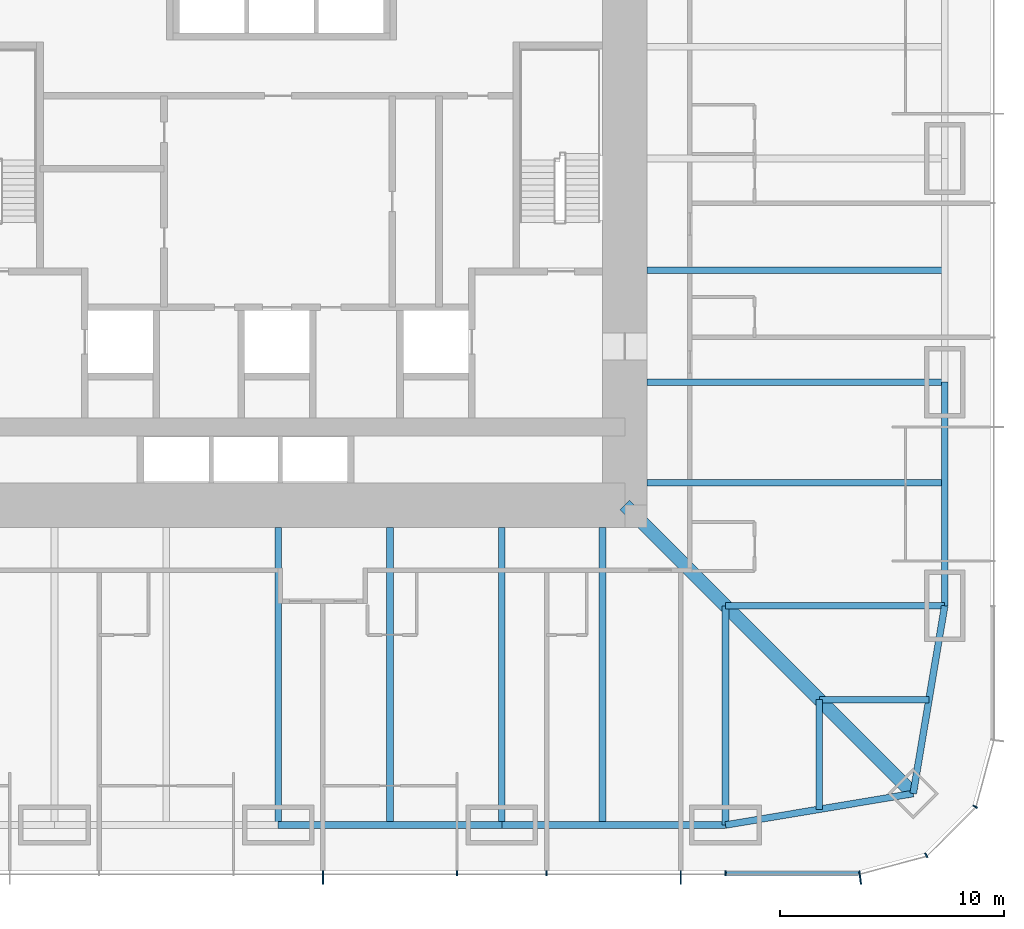
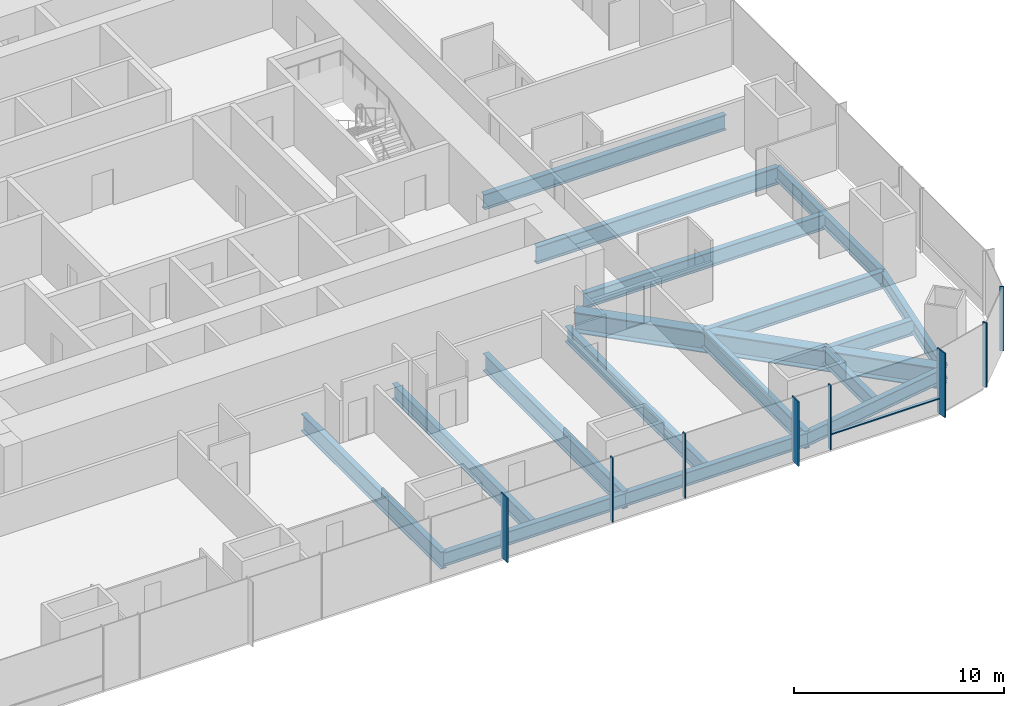
# One storey, part 4 of 20: 17 beams, 9 members, 2 elements without a shape of their own.
"""IFC4 building model written with IfcOpenShell, lengths in metres."""

from ifc_helpers import new_model, si_unit, direction, frame, origin, origin_2d, place, context, subcontext, project, spatial, rectangle, i_section, extrude, material, material_profile, profile_set, type_object, element, aggregate, save


model = new_model("IFC4")

# Units and contexts
model_context = context("Model", 3, precision=1e-05, world=origin(), true_north=direction((0.0, 1.0)))
body_context = subcontext(model_context, "Body", "Model", "MODEL_VIEW")
ifc_project = project(units=[si_unit("LENGTHUNIT", "METRE"), si_unit("AREAUNIT", "SQUARE_METRE"), si_unit("VOLUMEUNIT", "CUBIC_METRE"), si_unit("PLANEANGLEUNIT", "RADIAN"), si_unit("MASSUNIT", "GRAM", prefix="KILO")], contexts=[model_context])

# Site, building, storey
site_placement = place(None, origin())
site = spatial("IfcSite", under=ifc_project, at=site_placement, CompositionType="ELEMENT")
building_placement = place(site_placement, origin())
building = spatial("IfcBuilding", under=site, at=building_placement, Name="Khuree Lantern Residences", CompositionType="ELEMENT")
storey_placement = place(building_placement, frame((0.0, 0.0, 28.5)))
storey = spatial("IfcBuildingStorey", under=building, at=storey_placement, Name="L06", CompositionType="ELEMENT", Elevation=28.5)

# Beams
ifc_material_1 = material(Name="Steel S355", Category="steel")
ifc_material_profile_1 = material_profile(ifc_material_1, i_section(OverallWidth=0.300048828125, OverallDepth=0.889892578125, WebThickness=0.01611328125, FlangeThickness=0.030029296875, FilletRadius=0.030029296875, at=origin_2d()), Name="HE 900 A")
ifc_profile_set_1 = profile_set([ifc_material_profile_1], Name="Steel S355")
beam_type_1 = type_object("IfcBeamType", Name="B-11 SECONDARY BEAM HE 900 A", PredefinedType="BEAM", material=ifc_profile_set_1)
for number, where, z_axis, x_axis, name in (
    (1, (29.800048828125, -5.0, -0.695068359375), (-1.0, 0.0, 0.0), (0.0, -1.0, 0.0), "Secondary beam E4"),
    (2, (29.800048828125, -14.5, -0.695068359375), (-1.0, 0.0, 0.0), (0.0, -1.0, 0.0), "Secondary beam E5"),
):
    element("IfcBeam", number, at=place(storey_placement, frame(where, z_axis=z_axis, x_axis=x_axis)), inside=storey, type_object=beam_type_1, Name=name, PredefinedType="BEAM", context=body_context, shape_type="SweptSolid", body=[
        extrude(i_section(OverallWidth=0.300048828125, OverallDepth=0.889892578125, WebThickness=0.01611328125, FlangeThickness=0.030029296875, FilletRadius=0.030029296875, at=origin_2d()), origin(), (0.0, 0.0, 1.0), 13.300048828125),
    ])
for number, where, z_axis, x_axis, name in (
    (3, (29.09716796875, -24.197021484375, -0.695068359375), (-1.0, 0.0, 0.0), (0.0, -1.0, 0.0), "Secondary beam E6"),
    (4, (24.197021484375, -29.09716796875, -0.695068359375), (0.0, 1.0, 0.0), (-1.0, 0.0, 0.0), "Secondary beam S1"),
):
    element("IfcBeam", number, at=place(storey_placement, frame(where, z_axis=z_axis, x_axis=x_axis)), inside=storey, type_object=beam_type_1, Name=name, PredefinedType="BEAM", context=body_context, shape_type="SweptSolid", body=[
        extrude(i_section(OverallWidth=0.300048828125, OverallDepth=0.889892578125, WebThickness=0.01611328125, FlangeThickness=0.030029296875, FilletRadius=0.030029296875, at=origin_2d()), origin(), (0.0, 0.0, 1.0), 4.900146484375),
    ])
for number, where, z_axis, x_axis, name in (
    (5, (14.5, -29.800048828125, -0.695068359375), (0.0, 1.0, 0.0), (-1.0, 0.0, 0.0), "Secondary beam S2"),
    (6, (5.0, -29.800048828125, -0.695068359375), (0.0, 1.0, 0.0), (-1.0, 0.0, 0.0), "Secondary beam S3"),
):
    element("IfcBeam", number, at=place(storey_placement, frame(where, z_axis=z_axis, x_axis=x_axis)), inside=storey, type_object=beam_type_1, Name=name, PredefinedType="BEAM", context=body_context, shape_type="SweptSolid", body=[
        extrude(i_section(OverallWidth=0.300048828125, OverallDepth=0.889892578125, WebThickness=0.01611328125, FlangeThickness=0.030029296875, FilletRadius=0.030029296875, at=origin_2d()), origin(), (0.0, 0.0, 1.0), 13.300048828125),
    ])
ifc_material_profile_2 = material_profile(ifc_material_1, i_section(OverallWidth=0.300048828125, OverallDepth=0.7900390625, WebThickness=0.014892578125, FlangeThickness=0.028076171875, FilletRadius=0.030029296875, at=origin_2d()), Name="HE 800 A")
ifc_profile_set_2 = profile_set([ifc_material_profile_2], Name="Steel S355")
beam_type_2 = type_object("IfcBeamType", Name="E-11 SPANDREL BEAM HE 800 A", PredefinedType="SPANDREL", material=ifc_profile_set_2)
beam_1_placement = place(storey_placement, frame((29.800048828125, -10.0, -0.64501953125), z_axis=(0.0, -1.0, 0.0), x_axis=(1.0, 0.0, 0.0)))
element("IfcBeam", 7, at=beam_1_placement, inside=storey, type_object=beam_type_2, Name="Spandrel beam E5", PredefinedType="SPANDREL", context=body_context, shape_type="SweptSolid", body=[
    extrude(i_section(OverallWidth=0.300048828125, OverallDepth=0.7900390625, WebThickness=0.014892578125, FlangeThickness=0.028076171875, FilletRadius=0.030029296875, at=origin_2d()), origin(), (0.0, 0.0, 1.0), 10.0),
])
for number, where, z_axis, x_axis, name in (
    (8, (29.800048828125, -20.0, -0.64501953125), (-0.165199022349, -0.986260251158, 0.0), (0.986260251158, -0.165199022349, 0.0), "Spandrel beam E6"),
    (9, (28.39404296875, -28.39404296875, -0.64501953125), (-0.986260251158, -0.165199022349, 0.0), (0.165199022349, -0.986260251158, 0.0), "Spandrel beam S1"),
):
    element("IfcBeam", number, at=place(storey_placement, frame(where, z_axis=z_axis, x_axis=x_axis)), inside=storey, type_object=beam_type_2, Name=name, PredefinedType="SPANDREL", context=body_context, shape_type="SweptSolid", body=[
        extrude(i_section(OverallWidth=0.300048828125, OverallDepth=0.7900390625, WebThickness=0.014892578125, FlangeThickness=0.028076171875, FilletRadius=0.030029296875, at=origin_2d()), origin(), (0.0, 0.0, 1.0), 8.510986328125),
    ])
for number, where, z_axis, x_axis, name in (
    (10, (20.0, -29.800048828125, -0.64501953125), (-1.0, 0.0, 0.0), (0.0, -1.0, 0.0), "Spandrel beam S2"),
    (11, (10.0, -29.800048828125, -0.64501953125), (-1.0, 0.0, 0.0), (0.0, -1.0, 0.0), "Spandrel beam S3"),
):
    element("IfcBeam", number, at=place(storey_placement, frame(where, z_axis=z_axis, x_axis=x_axis)), inside=storey, type_object=beam_type_2, Name=name, PredefinedType="SPANDREL", context=body_context, shape_type="SweptSolid", body=[
        extrude(i_section(OverallWidth=0.300048828125, OverallDepth=0.7900390625, WebThickness=0.014892578125, FlangeThickness=0.028076171875, FilletRadius=0.030029296875, at=origin_2d()), origin(), (0.0, 0.0, 1.0), 10.0),
    ])

# Curtain wall, member
ifc_material_2 = material(Name="Bronze anodised aluminium", Category="aluminium")
curtain_wall_type_1 = type_object("IfcCurtainWallType", Name="CW-T2 TOWER CORNER CURTAIN WALL", PredefinedType="USERDEFINED", material=ifc_material_2)
curtain_wall_1_placement = place(storey_placement, origin())
curtain_wall_1 = element("IfcCurtainWall", 12, at=curtain_wall_1_placement, inside=storey, type_object=curtain_wall_type_1, Name="L06 SOUTH-EAST CORNER CURTAIN WALL", ObjectType="Faceted corner curtain wall", PredefinedType="USERDEFINED")
ifc_material_profile_3 = material_profile(ifc_material_2, rectangle(XDim=0.06494140625, YDim=0.60009765625, at=origin_2d()), Name="F1 65X600")
ifc_profile_set_3 = profile_set([ifc_material_profile_3], Name="Bronze anodised aluminium")
member_type_1 = type_object("IfcMemberType", Name="F1 BRONZE FIN MULLION TOWER 65X600", PredefinedType="MULLION", material=ifc_profile_set_3)
member_1_placement = place(storey_placement, frame((26.019775390625, -32.150146484375, 0.0), z_axis=(0.0, 0.0, 1.0), x_axis=(0.991444852794, 0.130526257387, 0.0)))
member_1 = element("IfcMember", 13, at=member_1_placement, type_object=member_type_1, Name="L06 SOUTH-EAST CORNER FIN MULLION 1", PredefinedType="MULLION", context=body_context, shape_type="SweptSolid", body=[
    extrude(rectangle(XDim=0.06494140625, YDim=0.60009765625, at=origin_2d()), origin(), (0.0, 0.0, 1.0), 3.75),
])

# Curtain wall, members
curtain_wall_type_2 = type_object("IfcCurtainWallType", Name="CW-T1 TOWER FACE CURTAIN WALL", PredefinedType="USERDEFINED", material=ifc_material_2)
curtain_wall_2_placement = place(storey_placement, origin())
curtain_wall_2 = element("IfcCurtainWall", 14, at=curtain_wall_2_placement, inside=storey, type_object=curtain_wall_type_2, Name="L06 SOUTH FACE CURTAIN WALL", ObjectType="Stick-built curtain wall", PredefinedType="USERDEFINED")
member_2_placement = place(storey_placement, frame((2.0, -32.14990234375, 0.0), z_axis=(0.0, 0.0, 1.0), x_axis=(1.0, 0.0, 0.0)))
member_2 = element("IfcMember", 15, at=member_2_placement, type_object=member_type_1, Name="L06 SOUTH FACE FIN MULLION 52", PredefinedType="MULLION", context=body_context, shape_type="SweptSolid", body=[
    extrude(rectangle(XDim=0.06494140625, YDim=0.60009765625, at=origin_2d()), origin(), (0.0, 0.0, 1.0), 3.75),
])
member_3_placement = place(storey_placement, frame((18.0, -32.14990234375, 0.0), z_axis=(0.0, 0.0, 1.0), x_axis=(1.0, 0.0, 0.0)))
member_3 = element("IfcMember", 16, at=member_3_placement, type_object=member_type_1, Name="L06 SOUTH FACE FIN MULLION 55", PredefinedType="MULLION", context=body_context, shape_type="SweptSolid", body=[
    extrude(rectangle(XDim=0.06494140625, YDim=0.60009765625, at=origin_2d()), origin(), (0.0, 0.0, 1.0), 3.75),
])

# Beams
ifc_material_profile_4 = material_profile(ifc_material_1, i_section(OverallWidth=0.302001953125, OverallDepth=1.008056640625, WebThickness=0.02099609375, FlangeThickness=0.0400390625, FilletRadius=0.030029296875, at=origin_2d()), Name="HE 1000 M")
ifc_profile_set_4 = profile_set([ifc_material_profile_4], Name="Steel S355")
beam_type_3 = type_object("IfcBeamType", Name="G-11 GIRDER HE 1000 M", PredefinedType="BEAM", material=ifc_profile_set_4)
beam_2_placement = place(storey_placement, frame((29.800048828125, -10.0, -0.75390625), z_axis=(-1.0, 0.0, 0.0), x_axis=(0.0, -1.0, 0.0)))
element("IfcBeam", 17, at=beam_2_placement, inside=storey, type_object=beam_type_3, Name="Girder E4", PredefinedType="BEAM", context=body_context, shape_type="SweptSolid", body=[
    extrude(i_section(OverallWidth=0.302001953125, OverallDepth=1.008056640625, WebThickness=0.02099609375, FlangeThickness=0.0400390625, FilletRadius=0.030029296875, at=origin_2d()), origin(), (0.0, 0.0, 1.0), 13.300048828125),
])
for number, where, z_axis, x_axis, name in (
    (18, (29.800048828125, -20.0, -0.75390625), (-1.0, 0.0, 0.0), (0.0, -1.0, 0.0), "Girder E5"),
    (19, (20.0, -29.800048828125, -0.75390625), (0.0, 1.0, 0.0), (-1.0, 0.0, 0.0), "Girder S1"),
):
    element("IfcBeam", number, at=place(storey_placement, frame(where, z_axis=z_axis, x_axis=x_axis)), inside=storey, type_object=beam_type_3, Name=name, PredefinedType="BEAM", context=body_context, shape_type="SweptSolid", body=[
        extrude(i_section(OverallWidth=0.302001953125, OverallDepth=1.008056640625, WebThickness=0.02099609375, FlangeThickness=0.0400390625, FilletRadius=0.030029296875, at=origin_2d()), origin(), (0.0, 0.0, 1.0), 9.800048828125),
    ])
for number, where, z_axis, x_axis, name in (
    (20, (10.0, -29.800048828125, -0.75390625), (0.0, 1.0, 0.0), (-1.0, 0.0, 0.0), "Girder S2"),
    (21, (0.0, -29.800048828125, -0.75390625), (0.0, 1.0, 0.0), (-1.0, 0.0, 0.0), "Girder S3"),
):
    element("IfcBeam", number, at=place(storey_placement, frame(where, z_axis=z_axis, x_axis=x_axis)), inside=storey, type_object=beam_type_3, Name=name, PredefinedType="BEAM", context=body_context, shape_type="SweptSolid", body=[
        extrude(i_section(OverallWidth=0.302001953125, OverallDepth=1.008056640625, WebThickness=0.02099609375, FlangeThickness=0.0400390625, FilletRadius=0.030029296875, at=origin_2d()), origin(), (0.0, 0.0, 1.0), 13.300048828125),
    ])
ifc_material_profile_5 = material_profile(ifc_material_1, i_section(OverallWidth=0.60009765625, OverallDepth=1.199951171875, WebThickness=0.030029296875, FlangeThickness=0.06005859375, at=origin_2d()), Name="WELDED I 1200X600X30X60")
ifc_profile_set_5 = profile_set([ifc_material_profile_5], Name="Steel S355")
beam_type_4 = type_object("IfcBeamType", Name="GD-11 CORNER GIRDER WELDED I 1200X600X30X60", PredefinedType="BEAM", material=ifc_profile_set_5)
beam_3_placement = place(storey_placement, frame((28.39404296875, -28.39404296875, -0.85009765625), z_axis=(-0.707106781187, 0.707106781187, 0.0), x_axis=(-0.707106781187, -0.707106781187, 0.0)))
element("IfcBeam", 22, at=beam_3_placement, inside=storey, type_object=beam_type_4, Name="Corner girder SE", PredefinedType="BEAM", context=body_context, shape_type="SweptSolid", body=[
    extrude(i_section(OverallWidth=0.60009765625, OverallDepth=1.199951171875, WebThickness=0.030029296875, FlangeThickness=0.06005859375, at=origin_2d()), origin(), (0.0, 0.0, 1.0), 18.23486328125),
])

# Member
ifc_material_profile_6 = material_profile(ifc_material_2, rectangle(XDim=0.06494140625, YDim=0.219970703125, at=origin_2d()), Name="M1 65X220")
ifc_profile_set_6 = profile_set([ifc_material_profile_6], Name="Bronze anodised aluminium")
member_type_2 = type_object("IfcMemberType", Name="M1 BRONZE MULLION TOWER 65X220", PredefinedType="MULLION", material=ifc_profile_set_6)
member_4_placement = place(storey_placement, frame((28.97998046875, -31.16162109375, 0.0), z_axis=(0.0, 0.0, 1.0), x_axis=(0.86602537092, 0.500000056923, 0.0)))
member_4 = element("IfcMember", 23, at=member_4_placement, type_object=member_type_2, Name="L06 SOUTH-EAST CORNER MULLION 2", PredefinedType="MULLION", context=body_context, shape_type="SweptSolid", body=[
    extrude(rectangle(XDim=0.06494140625, YDim=0.219970703125, at=origin_2d()), origin(), (0.0, 0.0, 1.0), 3.75),
])

member_5_placement = place(storey_placement, frame((31.16162109375, -28.97998046875, 0.0), z_axis=(0.0, 0.0, 1.0), x_axis=(0.500000056923, 0.86602537092, 0.0)))
member_5 = element("IfcMember", 24, at=member_5_placement, type_object=member_type_2, Name="L06 SOUTH-EAST CORNER MULLION 3", PredefinedType="MULLION", context=body_context, shape_type="SweptSolid", body=[
    extrude(rectangle(XDim=0.06494140625, YDim=0.219970703125, at=origin_2d()), origin(), (0.0, 0.0, 1.0), 3.75),
])

aggregate(curtain_wall_1, [member_1, member_4, member_5])

member_6_placement = place(storey_placement, frame((8.0, -31.9599609375, 0.0), z_axis=(0.0, 0.0, 1.0), x_axis=(1.0, 0.0, 0.0)))
member_6 = element("IfcMember", 25, at=member_6_placement, type_object=member_type_2, Name="L06 SOUTH FACE MULLION 53", PredefinedType="MULLION", context=body_context, shape_type="SweptSolid", body=[
    extrude(rectangle(XDim=0.06494140625, YDim=0.219970703125, at=origin_2d()), origin(), (0.0, 0.0, 1.0), 3.75),
])

member_7_placement = place(storey_placement, frame((12.0, -31.9599609375, 0.0), z_axis=(0.0, 0.0, 1.0), x_axis=(1.0, 0.0, 0.0)))
member_7 = element("IfcMember", 26, at=member_7_placement, type_object=member_type_2, Name="L06 SOUTH FACE MULLION 54", PredefinedType="MULLION", context=body_context, shape_type="SweptSolid", body=[
    extrude(rectangle(XDim=0.06494140625, YDim=0.219970703125, at=origin_2d()), origin(), (0.0, 0.0, 1.0), 3.75),
])

member_8_placement = place(storey_placement, frame((20.0, -31.9599609375, 0.0), z_axis=(0.0, 0.0, 1.0), x_axis=(1.0, 0.0, 0.0)))
member_8 = element("IfcMember", 27, at=member_8_placement, type_object=member_type_2, Name="L06 SOUTH FACE MULLION 56", PredefinedType="MULLION", context=body_context, shape_type="SweptSolid", body=[
    extrude(rectangle(XDim=0.06494140625, YDim=0.219970703125, at=origin_2d()), origin(), (0.0, 0.0, 1.0), 3.75),
])

ifc_material_profile_7 = material_profile(ifc_material_2, rectangle(XDim=0.179931640625, YDim=0.06494140625, at=origin_2d()), Name="T1 180X65")
ifc_profile_set_7 = profile_set([ifc_material_profile_7], Name="Bronze anodised aluminium")
member_type_3 = type_object("IfcMemberType", Name="TRANSOM T1 TOWER 180X65", PredefinedType="USERDEFINED", material=ifc_profile_set_7)
member_9_placement = place(storey_placement, frame((20.032470703125, -31.969970703125, 0.89990234375), z_axis=(1.0, 0.0, 0.0), x_axis=(0.0, 1.0, 0.0)))
member_9 = element("IfcMember", 28, at=member_9_placement, type_object=member_type_3, Name="L06 SOUTH FACE TRANSOM 56.1", ObjectType="Transom", PredefinedType="USERDEFINED", context=body_context, shape_type="SweptSolid", body=[
    extrude(rectangle(XDim=0.179931640625, YDim=0.06494140625, at=origin_2d()), origin(), (0.0, 0.0, 1.0), 5.9189453125),
])

aggregate(curtain_wall_2, [member_2, member_6, member_7, member_3, member_8, member_9])

save(model, "model.ifc")
